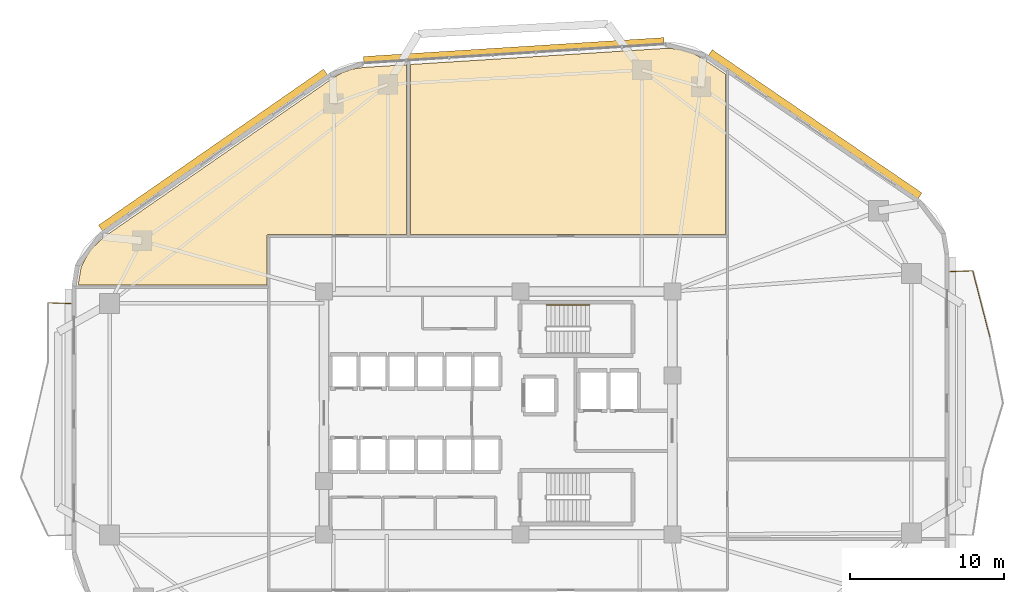
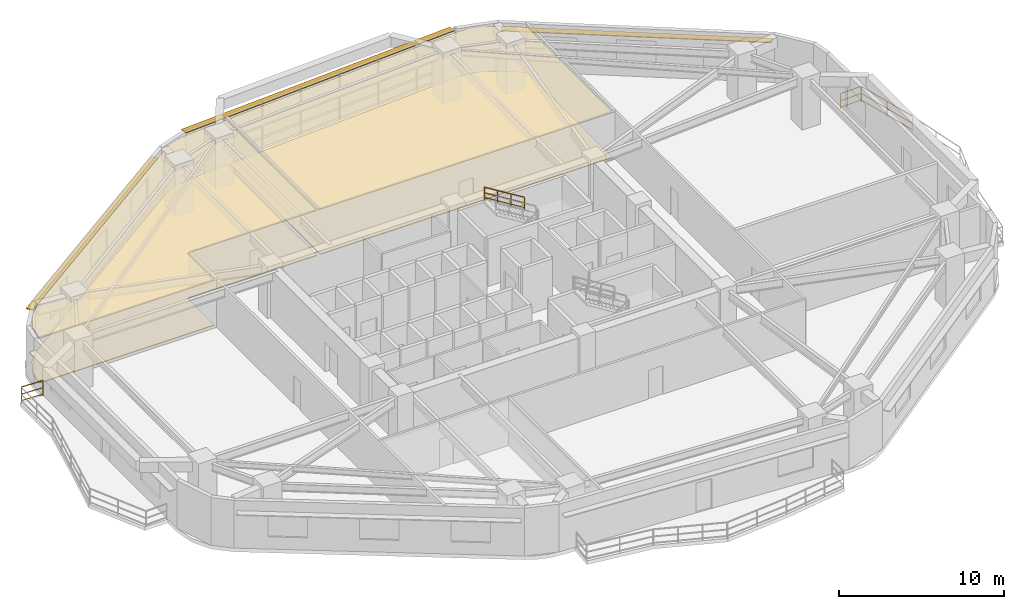
# One storey, part 11 of 11: 4 coverings, 4 railings, 3 shading devices.
"""IFC4 building model written with IfcOpenShell, lengths in metres."""

from ifc_helpers import new_model, si_unit, direction, frame, origin, origin_2d, place, context, subcontext, project, spatial, polyline, rectangle, outline, extrude, material, layer, layer_set, type_object, element, save


model = new_model("IFC4")

# Units and contexts
model_context = context("Model", 3, precision=1e-05, world=origin(), true_north=direction((0.0, 1.0)))
body_context = subcontext(model_context, "Body", "Model", "MODEL_VIEW")
ifc_project = project(units=[si_unit("LENGTHUNIT", "METRE"), si_unit("AREAUNIT", "SQUARE_METRE"), si_unit("VOLUMEUNIT", "CUBIC_METRE"), si_unit("PLANEANGLEUNIT", "RADIAN"), si_unit("MASSUNIT", "GRAM", prefix="KILO")], contexts=[model_context])

# Site, building, storey
site_placement = place(None, origin())
site = spatial("IfcSite", under=ifc_project, at=site_placement, CompositionType="ELEMENT")
building_placement = place(site_placement, origin())
building = spatial("IfcBuilding", under=site, at=building_placement, Name="Zulverin Broadcast Headquarters", CompositionType="ELEMENT")
storey_placement = place(building_placement, frame((0.0, 0.0, 32.60009765625)))
storey = spatial("IfcBuildingStorey", under=building, at=storey_placement, Name="L07", CompositionType="ELEMENT", Elevation=32.60009765625)

# Coverings
ifc_material_1 = material(Name="Perforated pale-metal acoustic baffle ceiling", Category="aluminium")
ifc_layer_1 = layer(ifc_material_1, 0.0400390625, Name="Perforated pale-metal acoustic baffle ceiling", Category="aluminium")
ifc_layer_set_1 = layer_set([ifc_layer_1], Name="Perforated pale-metal acoustic baffle ceiling")
covering_type_1 = type_object("IfcCoveringType", Name="COV-CEIL-ACOU", PredefinedType="CEILING", material=ifc_layer_set_1)
covering_1_placement = place(storey_placement, frame((0.0, 0.0, 3.344970703125)))
element("IfcCovering", 1, at=covering_1_placement, inside=storey, type_object=covering_type_1, Name="L07 Acoustic Baffle Ceiling 01", PredefinedType="CEILING", context=body_context, shape_type="SweptSolid", body=[
    extrude(outline(polyline([(11.4599609375, 36.583984375), (10.56005859375, 35.719970703125), (10.0, 34.639892578125), (9.81591796875, 33.5), (22.031982421875, 33.5), (22.031982421875, 36.652099609375), (22.031982421875, 36.6640625), (22.035888671875, 36.676025390625), (22.035888671875, 36.68798828125), (22.0400390625, 36.696044921875), (22.048095703125, 36.7080078125), (22.052001953125, 36.719970703125), (22.06005859375, 36.72802734375), (22.068115234375, 36.736083984375), (22.075927734375, 36.743896484375), (22.083984375, 36.751953125), (22.095947265625, 36.756103515625), (22.10791015625, 36.763916015625), (22.115966796875, 36.76806640625), (22.1279296875, 36.76806640625), (22.139892578125, 36.77197265625), (22.152099609375, 36.77197265625), (31.080078125, 36.77197265625), (31.080078125, 47.751953125), (28.27587890625, 47.575927734375), (27.575927734375, 47.468017578125), (26.927978515625, 47.243896484375), (26.31591796875, 46.89599609375), (11.4599609375, 36.583984375)])), origin(), (0.0, 0.0, 1.0), 0.0400390625),
])
covering_2_placement = place(storey_placement, frame((0.0, 0.0, 3.344970703125)))
element("IfcCovering", 2, at=covering_2_placement, inside=storey, type_object=covering_type_1, Name="L07 Acoustic Baffle Ceiling 02", PredefinedType="CEILING", context=body_context, shape_type="SweptSolid", body=[
    extrude(outline(polyline([(51.73193359375, 36.77197265625), (51.73193359375, 47.132080078125), (50.248046875, 48.139892578125), (49.491943359375, 48.548095703125), (48.68408203125, 48.76806640625), (47.823974609375, 48.80810546875), (31.320068359375, 47.76806640625), (31.320068359375, 36.77197265625), (51.73193359375, 36.77197265625)])), origin(), (0.0, 0.0, 1.0), 0.0400390625),
])
ifc_material_2 = material(Name="Anti-static broadcast raised access flooring", Category="stone")
ifc_layer_2 = layer(ifc_material_2, 0.050048828125, Name="Anti-static broadcast raised access flooring", Category="stone")
ifc_layer_set_2 = layer_set([ifc_layer_2], Name="Anti-static broadcast raised access flooring")
covering_type_2 = type_object("IfcCoveringType", Name="COV-FLR-RAISED", PredefinedType="FLOORING", material=ifc_layer_set_2)
covering_3_placement = place(storey_placement, origin())
element("IfcCovering", 3, at=covering_3_placement, inside=storey, type_object=covering_type_2, Name="L07 Broadcast Raised Access Flooring 01", PredefinedType="FLOORING", context=body_context, shape_type="SweptSolid", body=[
    extrude(outline(polyline([(11.4599609375, 36.583984375), (10.56005859375, 35.719970703125), (10.0, 34.639892578125), (9.81591796875, 33.5), (22.031982421875, 33.5), (22.031982421875, 36.652099609375), (22.031982421875, 36.6640625), (22.035888671875, 36.676025390625), (22.035888671875, 36.68798828125), (22.0400390625, 36.696044921875), (22.048095703125, 36.7080078125), (22.052001953125, 36.719970703125), (22.06005859375, 36.72802734375), (22.068115234375, 36.736083984375), (22.075927734375, 36.743896484375), (22.083984375, 36.751953125), (22.095947265625, 36.756103515625), (22.10791015625, 36.763916015625), (22.115966796875, 36.76806640625), (22.1279296875, 36.76806640625), (22.139892578125, 36.77197265625), (22.152099609375, 36.77197265625), (31.080078125, 36.77197265625), (31.080078125, 47.751953125), (28.27587890625, 47.575927734375), (27.575927734375, 47.468017578125), (26.927978515625, 47.243896484375), (26.31591796875, 46.89599609375), (11.4599609375, 36.583984375)])), origin(), (0.0, 0.0, 1.0), 0.0498046875),
])
covering_4_placement = place(storey_placement, origin())
element("IfcCovering", 4, at=covering_4_placement, inside=storey, type_object=covering_type_2, Name="L07 Broadcast Raised Access Flooring 02", PredefinedType="FLOORING", context=body_context, shape_type="SweptSolid", body=[
    extrude(outline(polyline([(51.73193359375, 36.77197265625), (51.73193359375, 47.132080078125), (50.248046875, 48.139892578125), (49.491943359375, 48.548095703125), (48.68408203125, 48.76806640625), (47.823974609375, 48.80810546875), (31.320068359375, 47.76806640625), (31.320068359375, 36.77197265625), (51.73193359375, 36.77197265625)])), origin(), (0.0, 0.0, 1.0), 0.0498046875),
])

# Railings
ifc_material_3 = material(Name="Brushed stainless steel & laminated glass balustrade", Category="steel")
railing_type_1 = type_object("IfcRailingType", Name="RL-GUARD-1150", PredefinedType="GUARDRAIL", material=ifc_material_3)
railing_1_placement = place(storey_placement, frame((68.822021484375, 30.146240234375, 0.0)))
element("IfcRailing", 5, at=railing_1_placement, inside=storey, type_object=railing_type_1, Name="L07 Vertical-Forest Balcony Guardrail BAL_E Segment 05", PredefinedType="GUARDRAIL", context=body_context, shape_type="SweptSolid", body=[
    extrude(rectangle(XDim=0.048095703125, YDim=0.048095703125, at=origin_2d()), frame((0.0, 0.0, 1.1259765625), z_axis=(-0.250020878405, 0.968240445531, 0.0), x_axis=(-0.968240445531, -0.250020878405, 0.0)), (0.0, 0.0, 1.0), 4.39306640625),
    extrude(rectangle(XDim=0.0419921875, YDim=0.0419921875, at=origin_2d()), frame((0.0, 0.0, 0.597900390625), z_axis=(-0.250020878405, 0.968240445531, 0.0), x_axis=(-0.968240445531, -0.250020878405, 0.0)), (0.0, 0.0, 1.0), 4.39306640625),
    extrude(rectangle(XDim=0.0419921875, YDim=0.0419921875, at=origin_2d()), frame((0.0, 0.0, 0.1201171875), z_axis=(-0.250020878405, 0.968240445531, 0.0), x_axis=(-0.968240445531, -0.250020878405, 0.0)), (0.0, 0.0, 1.0), 4.39306640625),
    extrude(rectangle(XDim=0.0419921875, YDim=0.0419921875, at=origin_2d()), origin(), (0.0, 0.0, 1.0), 1.101806640625),
    extrude(rectangle(XDim=0.0419921875, YDim=0.0419921875, at=origin_2d()), frame((-0.54931640625, 2.126953125, 0.0)), (0.0, 0.0, 1.0), 1.101806640625),
    extrude(rectangle(XDim=0.0419921875, YDim=0.0419921875, at=origin_2d()), frame((-1.098388671875, 4.253662109375, 0.0)), (0.0, 0.0, 1.0), 1.101806640625),
])
railing_2_placement = place(storey_placement, frame((67.705078125, 34.413818359375, 0.0)))
element("IfcRailing", 6, at=railing_2_placement, inside=storey, type_object=railing_type_1, Name="L07 Vertical-Forest Balcony Guardrail BAL_E Segment 06", PredefinedType="GUARDRAIL", context=body_context, shape_type="SweptSolid", body=[
    extrude(rectangle(XDim=0.048095703125, YDim=0.048095703125, at=origin_2d()), frame((0.0, 0.0, 1.1259765625), z_axis=(-0.999181155166, -0.040460093435, 0.0), x_axis=(0.040460093435, -0.999181155166, 0.0)), (0.0, 0.0, 1.0), 1.46630859375),
    extrude(rectangle(XDim=0.0419921875, YDim=0.0419921875, at=origin_2d()), frame((0.0, 0.0, 0.597900390625), z_axis=(-0.999181155166, -0.040460093435, 0.0), x_axis=(0.040460093435, -0.999181155166, 0.0)), (0.0, 0.0, 1.0), 1.46630859375),
    extrude(rectangle(XDim=0.0419921875, YDim=0.0419921875, at=origin_2d()), frame((0.0, 0.0, 0.1201171875), z_axis=(-0.999181155166, -0.040460093435, 0.0), x_axis=(0.040460093435, -0.999181155166, 0.0)), (0.0, 0.0, 1.0), 1.46630859375),
    extrude(rectangle(XDim=0.0419921875, YDim=0.0419921875, at=origin_2d()), origin(), (0.0, 0.0, 1.0), 1.101806640625),
    extrude(rectangle(XDim=0.0419921875, YDim=0.0419921875, at=origin_2d()), frame((-1.465087890625, -0.059326171875, 0.0)), (0.0, 0.0, 1.0), 1.101806640625),
])
railing_3_placement = place(storey_placement, frame((9.360107421875, 32.284423828125, 0.0)))
element("IfcRailing", 7, at=railing_3_placement, inside=storey, type_object=railing_type_1, Name="L07 Vertical-Forest Balcony Guardrail BAL_W Segment 01", PredefinedType="GUARDRAIL", context=body_context, shape_type="SweptSolid", body=[
    extrude(rectangle(XDim=0.048095703125, YDim=0.048095703125, at=origin_2d()), frame((0.0, 0.0, 1.1259765625), z_axis=(-0.999181155166, 0.040460093435, 0.0), x_axis=(-0.040460093435, -0.999181155166, 0.0)), (0.0, 0.0, 1.0), 1.46630859375),
    extrude(rectangle(XDim=0.0419921875, YDim=0.0419921875, at=origin_2d()), frame((0.0, 0.0, 0.597900390625), z_axis=(-0.999181155166, 0.040460093435, 0.0), x_axis=(-0.040460093435, -0.999181155166, 0.0)), (0.0, 0.0, 1.0), 1.46630859375),
    extrude(rectangle(XDim=0.0419921875, YDim=0.0419921875, at=origin_2d()), frame((0.0, 0.0, 0.1201171875), z_axis=(-0.999181155166, 0.040460093435, 0.0), x_axis=(-0.040460093435, -0.999181155166, 0.0)), (0.0, 0.0, 1.0), 1.46630859375),
    extrude(rectangle(XDim=0.0419921875, YDim=0.0419921875, at=origin_2d()), origin(), (0.0, 0.0, 1.0), 1.101806640625),
    extrude(rectangle(XDim=0.0419921875, YDim=0.0419921875, at=origin_2d()), frame((-1.465087890625, 0.059326171875, 0.0)), (0.0, 0.0, 1.0), 1.101806640625),
])
ifc_material_4 = material(Name="Brushed stainless steel 48 mm handrail", Category="steel")
railing_type_2 = type_object("IfcRailingType", Name="RL-ST-HAND", PredefinedType="HANDRAIL", material=ifc_material_4)
railing_4_placement = place(storey_placement, frame((42.929931640625, 32.199951171875, 2.072509765625)))
element("IfcRailing", 8, at=railing_4_placement, inside=storey, type_object=railing_type_2, Name="L07 ST-1 stair handrail 2", PredefinedType="HANDRAIL", context=body_context, shape_type="SweptSolid", body=[
    extrude(rectangle(XDim=0.048095703125, YDim=0.048095703125, at=origin_2d()), frame((0.0, 0.0, 0.8759765625), z_axis=(-0.851089632645, 0.0, 0.525020415988), x_axis=(0.0, -1.0, 0.0)), (0.0, 0.0, 1.0), 3.2900390625),
    extrude(rectangle(XDim=0.0419921875, YDim=0.0419921875, at=origin_2d()), frame((0.0, 0.0, 0.468017578125), z_axis=(-0.851089632645, 0.0, 0.525020415988), x_axis=(0.0, -1.0, 0.0)), (0.0, 0.0, 1.0), 3.2900390625),
    extrude(rectangle(XDim=0.0419921875, YDim=0.0419921875, at=origin_2d()), frame((0.0, 0.0, 0.1201171875), z_axis=(-0.851089632645, 0.0, 0.525020415988), x_axis=(0.0, -1.0, 0.0)), (0.0, 0.0, 1.0), 3.2900390625),
    extrude(rectangle(XDim=0.0419921875, YDim=0.0419921875, at=origin_2d()), origin(), (0.0, 0.0, 1.0), 0.851806640625),
    extrude(rectangle(XDim=0.0419921875, YDim=0.0419921875, at=origin_2d()), frame((-0.933349609375, 0.0, 0.57568359375)), (0.0, 0.0, 1.0), 0.851806640625),
    extrude(rectangle(XDim=0.0419921875, YDim=0.0419921875, at=origin_2d()), frame((-1.86669921875, 0.0, 1.151611328125)), (0.0, 0.0, 1.0), 0.851806640625),
    extrude(rectangle(XDim=0.0419921875, YDim=0.0419921875, at=origin_2d()), frame((-2.800048828125, 0.0, 1.727294921875)), (0.0, 0.0, 1.0), 0.851806640625),
])

# Shading devices
ifc_material_5 = material(Name="Anodized pale-metal aluminium sunshade", Category="aluminium")
ifc_layer_3 = layer(ifc_material_5, 0.06005859375, Name="Anodized pale-metal aluminium sunshade", Category="aluminium")
ifc_layer_set_3 = layer_set([ifc_layer_3], Name="Anodized pale-metal aluminium sunshade")
shading_device_type = type_object("IfcShadingDeviceType", Name="SS-01_PALE_METAL_ALUMINIUM_SUNSHADE", PredefinedType="USERDEFINED", material=ifc_layer_set_3)
shading_device_1_placement = place(storey_placement, frame((57.525390625, 43.8994140625, 2.7099609375), z_axis=(0.0, 0.0, 1.0), x_axis=(-0.825756855157, 0.564026254851, 0.0)))
element("IfcShadingDevice", 9, at=shading_device_1_placement, inside=storey, type_object=shading_device_type, Name="L07 Horizontal Pale-Metal Sunshade Band 4", ObjectType="SUNSHADE", PredefinedType="USERDEFINED", context=body_context, shape_type="SweptSolid", body=[
    extrude(rectangle(XDim=16.4482421875, YDim=0.449951171875, at=origin_2d()), origin(), (0.0, 0.0, 1.0), 0.06005859375),
])
shading_device_2_placement = place(storey_placement, frame((38.022705078125, 48.671142578125, 3.294921875), z_axis=(0.0, 0.0, 1.0), x_axis=(-0.998017621976, -0.062935095345, 0.0)))
element("IfcShadingDevice", 10, at=shading_device_2_placement, inside=storey, type_object=shading_device_type, Name="L07 Pale-Metal Horizontal Sunshade Band CW-L07-E5", ObjectType="SUNSHADE", PredefinedType="USERDEFINED", context=body_context, shape_type="SweptSolid", body=[
    extrude(rectangle(XDim=19.489501953125, YDim=0.449951171875, at=origin_2d()), origin(), (0.0, 0.0, 1.0), 0.06005859375),
])
shading_device_3_placement = place(storey_placement, frame((18.539794921875, 42.22802734375, 2.7099609375), z_axis=(0.0, 0.0, 1.0), x_axis=(-0.821556397865, -0.57012725345, 0.0)))
element("IfcShadingDevice", 11, at=shading_device_3_placement, inside=storey, type_object=shading_device_type, Name="L07 Horizontal Pale-Metal Sunshade Band 6", ObjectType="SUNSHADE", PredefinedType="USERDEFINED", context=body_context, shape_type="SweptSolid", body=[
    extrude(rectangle(XDim=17.732421875, YDim=0.449951171875, at=origin_2d()), origin(), (0.0, 0.0, 1.0), 0.06005859375),
])

save(model, "model.ifc")
